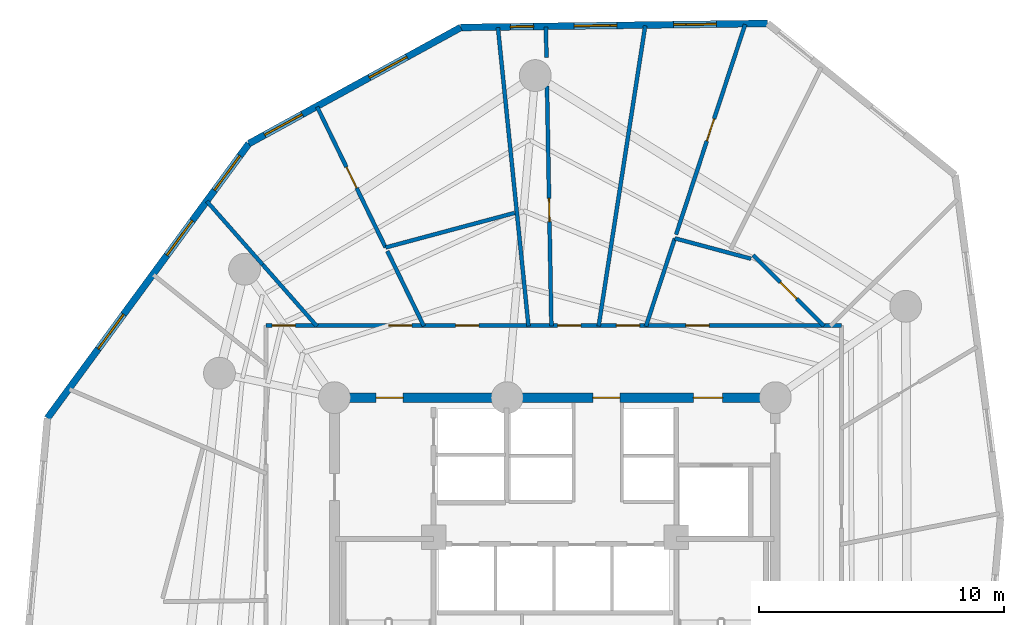
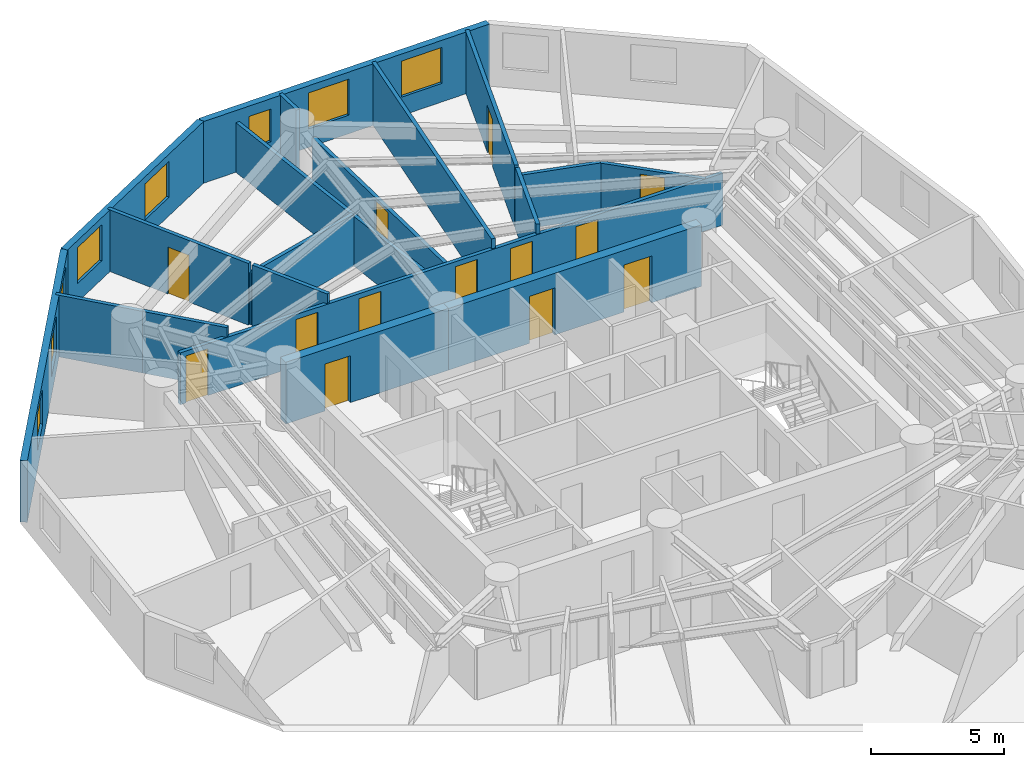
# One storey, part 6 of 8: 19 walls, 13 doors, 8 windows, 21 openings.
"""IFC4 building model written with IfcOpenShell, lengths in metres."""

from ifc_helpers import new_model, si_unit, direction, frame, frame_2d, origin, origin_with_axes, place, context, subcontext, project, spatial, rectangle, extrude, source, transform, mapped, material, layer, layer_set, type_object, element, fill, save


model = new_model("IFC4")

# Units and contexts
model_context = context("Model", 3, precision=1e-05, world=origin(), true_north=direction((0.0, 1.0)))
body_context = subcontext(model_context, "Body", "Model", "MODEL_VIEW")
ifc_project = project(units=[si_unit("LENGTHUNIT", "METRE"), si_unit("AREAUNIT", "SQUARE_METRE"), si_unit("VOLUMEUNIT", "CUBIC_METRE"), si_unit("PLANEANGLEUNIT", "RADIAN"), si_unit("MASSUNIT", "GRAM", prefix="KILO")], contexts=[model_context])

# Site, building, storey
site_placement = place(None, origin())
site = spatial("IfcSite", under=ifc_project, at=site_placement, CompositionType="ELEMENT")
building_placement = place(site_placement, origin())
building = spatial("IfcBuilding", under=site, at=building_placement, Name="Karkom Vertical University and Central Library", CompositionType="ELEMENT")
storey_placement = place(building_placement, frame((0.0, 0.0, 174.85009765625)))
storey = spatial("IfcBuildingStorey", under=building, at=storey_placement, Name="L50", CompositionType="ELEMENT", Elevation=174.85009765625)

# Wall, openings, windows
ifc_material_1 = material(Name="Brick-faced precast concrete C45/55", Category="masonry")
ifc_layer_1 = layer(ifc_material_1, 0.280029296875)
ifc_layer_set_1 = layer_set([ifc_layer_1], Name="Brick-faced precast concrete C45/55")
wall_type_1 = type_object("IfcWallType", Name="ENV-WL-BRK-280", PredefinedType="SOLIDWALL", material=ifc_layer_set_1)
wall_1_placement = place(storey_placement, frame((37.189208984375, 49.979248046875, 0.0), z_axis=(0.0, 0.0, 1.0), x_axis=(-0.999913830064, -0.013127545317, 0.0)))
wall_1 = element("IfcWall", 1, at=wall_1_placement, inside=storey, type_object=wall_type_1, Name="Level 50 Brick-Faced Precast Facade Wall 09", PredefinedType="SOLIDWALL", context=body_context, shape_type="SweptSolid", body=[
    extrude(rectangle(XDim=12.53466796875, YDim=0.280029296875, at=frame_2d((6.267333984375, 0.0))), origin(), (0.0, 0.0, 1.0), 2.824951171875),
])
opening_1_placement = place(wall_1_placement, frame((2.094970703125, 0.0, 0.85009765625)))
opening_1 = element("IfcOpeningElement", 2, at=opening_1_placement, cuts=wall_1, Name="Opening WN-08", PredefinedType="OPENING", context=body_context, shape_type="SweptSolid", body=[
    extrude(rectangle(XDim=1.75, YDim=1.64990234375, at=frame_2d((0.875, 0.824951171875))), frame((0.0, 0.14990234375, 0.0), z_axis=(0.0, -1.0, 0.0), x_axis=(1.0, 0.0, 0.0)), (0.0, 0.0, 1.0), 0.300048828125),
])
opening_2_placement = place(wall_1_placement, frame((6.156982421875, 0.0, 0.85009765625)))
opening_2 = element("IfcOpeningElement", 3, at=opening_2_placement, cuts=wall_1, Name="Opening WN-08", PredefinedType="OPENING", context=body_context, shape_type="SweptSolid", body=[
    extrude(rectangle(XDim=1.75, YDim=1.64990234375, at=frame_2d((0.875, 0.824951171875))), frame((0.0, 0.14990234375, 0.0), z_axis=(0.0, -1.0, 0.0), x_axis=(1.0, 0.0, 0.0)), (0.0, 0.0, 1.0), 0.300048828125),
])
opening_3_placement = place(wall_1_placement, frame((9.559814453125, 0.0, 0.85009765625)))
opening_3 = element("IfcOpeningElement", 4, at=opening_3_placement, cuts=wall_1, Name="Opening WN-12", PredefinedType="OPENING", context=body_context, shape_type="SweptSolid", body=[
    extrude(rectangle(XDim=0.949951171875, YDim=1.5, at=frame_2d((0.47509765625, 0.75))), frame((0.0, 0.14990234375, 0.0), z_axis=(0.0, -1.0, 0.0), x_axis=(1.0, 0.0, 0.0)), (0.0, 0.0, 1.0), 0.300048828125),
])
ifc_material_2 = material(Name="Aluminium thermal-break frame with solar-control IGU", Category="aluminium")
window_type_1 = type_object("IfcWindowType", Name="ENV-WIN-WN-12", PartitioningType="SINGLE_PANEL", PredefinedType="WINDOW", material=ifc_material_2)
shared_shape_1 = source(origin_with_axes(), body_context, "Body", "SweptSolid", [
    extrude(rectangle(XDim=0.949951171875, YDim=1.5, at=frame_2d((0.47509765625, 0.75))), frame((0.0, 0.030029296875, 0.0), z_axis=(0.0, -1.0, 0.0), x_axis=(1.0, 0.0, 0.0)), (0.0, 0.0, 1.0), 0.06005859375),
])
window_1_placement = place(opening_3_placement, origin())
window_1 = element("IfcWindow", 5, at=window_1_placement, inside=storey, type_object=window_type_1, Name="Level 50 Punched Window 9.3", OverallHeight=1.5, OverallWidth=0.949951171875, PartitioningType="SINGLE_PANEL", PredefinedType="WINDOW", context=body_context, shape_type="MappedRepresentation", body=[
    mapped(shared_shape_1, transform((0.0, 0.0, 0.0), scale=1.0)),
])
fill(opening_3, window_1)
window_type_2 = type_object("IfcWindowType", Name="ENV-WIN-WN-08", PartitioningType="SINGLE_PANEL", PredefinedType="WINDOW", material=ifc_material_2)
shared_shape_2 = source(origin_with_axes(), body_context, "Body", "SweptSolid", [
    extrude(rectangle(XDim=1.75, YDim=1.64990234375, at=frame_2d((0.875, 0.824951171875))), frame((0.0, 0.030029296875, 0.0), z_axis=(0.0, -1.0, 0.0), x_axis=(1.0, 0.0, 0.0)), (0.0, 0.0, 1.0), 0.06005859375),
])
window_2_placement = place(opening_1_placement, origin())
window_2 = element("IfcWindow", 6, at=window_2_placement, inside=storey, type_object=window_type_2, Name="Level 50 Punched Window 9.1", OverallHeight=1.64990234375, OverallWidth=1.75, PartitioningType="SINGLE_PANEL", PredefinedType="WINDOW", context=body_context, shape_type="MappedRepresentation", body=[
    mapped(shared_shape_2, transform((0.0, 0.0, 0.0), scale=1.0)),
])
fill(opening_1, window_2)
window_3_placement = place(opening_2_placement, origin())
window_3 = element("IfcWindow", 7, at=window_3_placement, inside=storey, type_object=window_type_2, Name="Level 50 Punched Window 9.2", OverallHeight=1.64990234375, OverallWidth=1.75, PartitioningType="SINGLE_PANEL", PredefinedType="WINDOW", context=body_context, shape_type="MappedRepresentation", body=[
    mapped(shared_shape_2, transform((0.0, 0.0, 0.0), scale=1.0)),
])
fill(opening_2, window_3)

wall_2_placement = place(storey_placement, frame((24.655517578125, 49.814697265625, 0.0), z_axis=(0.0, 0.0, 1.0), x_axis=(-0.876946311872, -0.480588354097, 0.0)))
wall_2 = element("IfcWall", 8, at=wall_2_placement, inside=storey, type_object=wall_type_1, Name="Level 50 Brick-Faced Precast Facade Wall 10", PredefinedType="SOLIDWALL", context=body_context, shape_type="SweptSolid", body=[
    extrude(rectangle(XDim=9.866455078125, YDim=0.280029296875, at=frame_2d((4.93310546875, 0.0))), origin(), (0.0, 0.0, 1.0), 2.824951171875),
])
opening_4_placement = place(wall_2_placement, frame((2.505859375, 0.0, 0.85009765625)))
opening_4 = element("IfcOpeningElement", 9, at=opening_4_placement, cuts=wall_2, Name="Opening WN-08", PredefinedType="OPENING", context=body_context, shape_type="SweptSolid", body=[
    extrude(rectangle(XDim=1.75, YDim=1.64990234375, at=frame_2d((0.875, 0.824951171875))), frame((0.0, 0.14990234375, 0.0), z_axis=(0.0, -1.0, 0.0), x_axis=(1.0, 0.0, 0.0)), (0.0, 0.0, 1.0), 0.300048828125),
])
opening_5_placement = place(wall_2_placement, frame((7.379150390625, 0.0, 0.85009765625)))
opening_5 = element("IfcOpeningElement", 10, at=opening_5_placement, cuts=wall_2, Name="Opening WN-08", PredefinedType="OPENING", context=body_context, shape_type="SweptSolid", body=[
    extrude(rectangle(XDim=1.75, YDim=1.64990234375, at=frame_2d((0.875, 0.824951171875))), frame((0.0, 0.14990234375, 0.0), z_axis=(0.0, -1.0, 0.0), x_axis=(1.0, 0.0, 0.0)), (0.0, 0.0, 1.0), 0.300048828125),
])
window_4_placement = place(opening_4_placement, origin())
window_4 = element("IfcWindow", 11, at=window_4_placement, inside=storey, type_object=window_type_2, Name="Level 50 Punched Window 10.1", OverallHeight=1.64990234375, OverallWidth=1.75, PartitioningType="SINGLE_PANEL", PredefinedType="WINDOW", context=body_context, shape_type="MappedRepresentation", body=[
    mapped(shared_shape_2, transform((0.0, 0.0, 0.0), scale=1.0)),
])
fill(opening_4, window_4)
window_5_placement = place(opening_5_placement, origin())
window_5 = element("IfcWindow", 12, at=window_5_placement, inside=storey, type_object=window_type_2, Name="Level 50 Punched Window 10.2", OverallHeight=1.64990234375, OverallWidth=1.75, PartitioningType="SINGLE_PANEL", PredefinedType="WINDOW", context=body_context, shape_type="MappedRepresentation", body=[
    mapped(shared_shape_2, transform((0.0, 0.0, 0.0), scale=1.0)),
])
fill(opening_5, window_5)

wall_3_placement = place(storey_placement, frame((16.003173828125, 45.072998046875, 0.0), z_axis=(0.0, 0.0, 1.0), x_axis=(-0.591484690677, -0.806316228718, 0.0)))
wall_3 = element("IfcWall", 13, at=wall_3_placement, inside=storey, type_object=wall_type_1, Name="Level 50 Brick-Faced Precast Facade Wall 11", PredefinedType="SOLIDWALL", context=body_context, shape_type="SweptSolid", body=[
    extrude(rectangle(XDim=13.904296875, YDim=0.280029296875, at=frame_2d((6.9521484375, 0.0))), origin(), (0.0, 0.0, 1.0), 2.824951171875),
])
opening_6_placement = place(wall_3_placement, frame((0.61669921875, 0.0, 0.85009765625)))
opening_6 = element("IfcOpeningElement", 14, at=opening_6_placement, cuts=wall_3, Name="Opening WN-08", PredefinedType="OPENING", context=body_context, shape_type="SweptSolid", body=[
    extrude(rectangle(XDim=1.75, YDim=1.64990234375, at=frame_2d((0.875, 0.824951171875))), frame((0.0, 0.14990234375, 0.0), z_axis=(0.0, -1.0, 0.0), x_axis=(1.0, 0.0, 0.0)), (0.0, 0.0, 1.0), 0.300048828125),
])
opening_7_placement = place(wall_3_placement, frame((3.89892578125, 0.0, 0.85009765625)))
opening_7 = element("IfcOpeningElement", 15, at=opening_7_placement, cuts=wall_3, Name="Opening WN-08", PredefinedType="OPENING", context=body_context, shape_type="SweptSolid", body=[
    extrude(rectangle(XDim=1.75, YDim=1.64990234375, at=frame_2d((0.875, 0.824951171875))), frame((0.0, 0.14990234375, 0.0), z_axis=(0.0, -1.0, 0.0), x_axis=(1.0, 0.0, 0.0)), (0.0, 0.0, 1.0), 0.300048828125),
])
opening_8_placement = place(wall_3_placement, frame((8.644287109375, 0.0, 0.85009765625)))
opening_8 = element("IfcOpeningElement", 16, at=opening_8_placement, cuts=wall_3, Name="Opening WN-08", PredefinedType="OPENING", context=body_context, shape_type="SweptSolid", body=[
    extrude(rectangle(XDim=1.75, YDim=1.64990234375, at=frame_2d((0.875, 0.824951171875))), frame((0.0, 0.14990234375, 0.0), z_axis=(0.0, -1.0, 0.0), x_axis=(1.0, 0.0, 0.0)), (0.0, 0.0, 1.0), 0.300048828125),
])
window_6_placement = place(opening_6_placement, origin())
window_6 = element("IfcWindow", 17, at=window_6_placement, inside=storey, type_object=window_type_2, Name="Level 50 Punched Window 11.1", OverallHeight=1.64990234375, OverallWidth=1.75, PartitioningType="SINGLE_PANEL", PredefinedType="WINDOW", context=body_context, shape_type="MappedRepresentation", body=[
    mapped(shared_shape_2, transform((0.0, 0.0, 0.0), scale=1.0)),
])
fill(opening_6, window_6)
window_7_placement = place(opening_7_placement, origin())
window_7 = element("IfcWindow", 18, at=window_7_placement, inside=storey, type_object=window_type_2, Name="Level 50 Punched Window 11.2", OverallHeight=1.64990234375, OverallWidth=1.75, PartitioningType="SINGLE_PANEL", PredefinedType="WINDOW", context=body_context, shape_type="MappedRepresentation", body=[
    mapped(shared_shape_2, transform((0.0, 0.0, 0.0), scale=1.0)),
])
fill(opening_7, window_7)
window_8_placement = place(opening_8_placement, origin())
window_8 = element("IfcWindow", 19, at=window_8_placement, inside=storey, type_object=window_type_2, Name="Level 50 Punched Window 11.3", OverallHeight=1.64990234375, OverallWidth=1.75, PartitioningType="SINGLE_PANEL", PredefinedType="WINDOW", context=body_context, shape_type="MappedRepresentation", body=[
    mapped(shared_shape_2, transform((0.0, 0.0, 0.0), scale=1.0)),
])
fill(opening_8, window_8)

# Wall, openings, doors
ifc_material_3 = material(Name="Insulated metal-stud drywall 160mm", Category="gypsum")
ifc_layer_2 = layer(ifc_material_3, 0.159912109375)
ifc_layer_set_2 = layer_set([ifc_layer_2], Name="Insulated metal-stud drywall 160mm")
wall_type_2 = type_object("IfcWallType", Name="INT-WL-COR-160", PredefinedType="PARTITIONING", material=ifc_layer_set_2)
wall_4_placement = place(storey_placement, frame((16.699951171875, 37.64990234375, 0.0), z_axis=(0.0, 0.0, 1.0), x_axis=(1.0, 0.0, 0.0)))
wall_4 = element("IfcWall", 20, at=wall_4_placement, inside=storey, type_object=wall_type_2, Name="Level 50 Interior Partition Wall L50-CORW-CW-003", PredefinedType="PARTITIONING", context=body_context, shape_type="SweptSolid", body=[
    extrude(rectangle(XDim=23.5, YDim=0.159912109375, at=frame_2d((11.75, 0.0))), origin(), (0.0, 0.0, 1.0), 2.375),
])
opening_9_placement = place(wall_4_placement, frame((17.14990234375, 0.0, 0.0)))
opening_9 = element("IfcOpeningElement", 21, at=opening_9_placement, cuts=wall_4, Name="Opening D-RM1", PredefinedType="OPENING", context=body_context, shape_type="SweptSolid", body=[
    extrude(rectangle(XDim=0.949951171875, YDim=2.14990234375, at=frame_2d((0.47509765625, 1.074951171875))), frame((0.0, 0.08984375, 0.0), z_axis=(0.0, -1.0, 0.0), x_axis=(1.0, 0.0, 0.0)), (0.0, 0.0, 1.0), 0.179931640625),
])
opening_10_placement = place(wall_4_placement, frame((14.31005859375, 0.0, 0.0)))
opening_10 = element("IfcOpeningElement", 22, at=opening_10_placement, cuts=wall_4, Name="Opening D-RM1", PredefinedType="OPENING", context=body_context, shape_type="SweptSolid", body=[
    extrude(rectangle(XDim=0.949951171875, YDim=2.14990234375, at=frame_2d((0.47509765625, 1.074951171875))), frame((0.0, 0.08984375, 0.0), z_axis=(0.0, -1.0, 0.0), x_axis=(1.0, 0.0, 0.0)), (0.0, 0.0, 1.0), 0.179931640625),
])
opening_11_placement = place(wall_4_placement, frame((11.9150390625, 0.0, 0.0)))
opening_11 = element("IfcOpeningElement", 23, at=opening_11_placement, cuts=wall_4, Name="Opening D-RM1", PredefinedType="OPENING", context=body_context, shape_type="SweptSolid", body=[
    extrude(rectangle(XDim=0.949951171875, YDim=2.14990234375, at=frame_2d((0.47509765625, 1.074951171875))), frame((0.0, 0.08984375, 0.0), z_axis=(0.0, -1.0, 0.0), x_axis=(1.0, 0.0, 0.0)), (0.0, 0.0, 1.0), 0.179931640625),
])
opening_12_placement = place(wall_4_placement, frame((7.75, 0.0, 0.0)))
opening_12 = element("IfcOpeningElement", 24, at=opening_12_placement, cuts=wall_4, Name="Opening D-RM1", PredefinedType="OPENING", context=body_context, shape_type="SweptSolid", body=[
    extrude(rectangle(XDim=0.949951171875, YDim=2.14990234375, at=frame_2d((0.47509765625, 1.074951171875))), frame((0.0, 0.08984375, 0.0), z_axis=(0.0, -1.0, 0.0), x_axis=(1.0, 0.0, 0.0)), (0.0, 0.0, 1.0), 0.179931640625),
])
opening_13_placement = place(wall_4_placement, frame((5.010009765625, 0.0, 0.0)))
opening_13 = element("IfcOpeningElement", 25, at=opening_13_placement, cuts=wall_4, Name="Opening D-RM1", PredefinedType="OPENING", context=body_context, shape_type="SweptSolid", body=[
    extrude(rectangle(XDim=0.949951171875, YDim=2.14990234375, at=frame_2d((0.47509765625, 1.074951171875))), frame((0.0, 0.08984375, 0.0), z_axis=(0.0, -1.0, 0.0), x_axis=(1.0, 0.0, 0.0)), (0.0, 0.0, 1.0), 0.179931640625),
])
opening_14_placement = place(wall_4_placement, frame((0.25732421875, 0.0, 0.0)))
opening_14 = element("IfcOpeningElement", 26, at=opening_14_placement, cuts=wall_4, Name="Opening D-RM1", PredefinedType="OPENING", context=body_context, shape_type="SweptSolid", body=[
    extrude(rectangle(XDim=0.949951171875, YDim=2.14990234375, at=frame_2d((0.47509765625, 1.074951171875))), frame((0.0, 0.08984375, 0.0), z_axis=(0.0, -1.0, 0.0), x_axis=(1.0, 0.0, 0.0)), (0.0, 0.0, 1.0), 0.179931640625),
])
ifc_material_4 = material(Name="Solid-core oak veneer door", Category="wood")
door_type_1 = type_object("IfcDoorType", Name="INT-DR-RM1", OperationType="NOTDEFINED", PredefinedType="DOOR", material=ifc_material_4)
shared_shape_3 = source(origin_with_axes(), body_context, "Body", "SweptSolid", [
    extrude(rectangle(XDim=0.949951171875, YDim=2.14990234375, at=frame_2d((0.47509765625, 1.074951171875))), frame((0.0, 0.02490234375, 0.0), z_axis=(0.0, -1.0, 0.0), x_axis=(1.0, 0.0, 0.0)), (0.0, 0.0, 1.0), 0.050048828125),
])
door_1_placement = place(opening_9_placement, origin())
door_1 = element("IfcDoor", 27, at=door_1_placement, inside=storey, type_object=door_type_1, Name="Level 50 Room Entry Door 150", OperationType="SINGLE_SWING_RIGHT", OverallHeight=2.14990234375, OverallWidth=0.949951171875, PredefinedType="DOOR", context=body_context, shape_type="MappedRepresentation", body=[
    mapped(shared_shape_3, transform((0.0, 0.0, 0.0), scale=1.0)),
])
fill(opening_9, door_1)
door_2_placement = place(opening_10_placement, origin())
door_2 = element("IfcDoor", 28, at=door_2_placement, inside=storey, type_object=door_type_1, Name="Level 50 Room Entry Door 170", OperationType="SINGLE_SWING_LEFT", OverallHeight=2.14990234375, OverallWidth=0.949951171875, PredefinedType="DOOR", context=body_context, shape_type="MappedRepresentation", body=[
    mapped(shared_shape_3, transform((0.0, 0.0, 0.0), scale=1.0)),
])
fill(opening_10, door_2)
door_3_placement = place(opening_11_placement, origin())
door_3 = element("IfcDoor", 29, at=door_3_placement, inside=storey, type_object=door_type_1, Name="Level 50 Room Entry Door 180", OperationType="SINGLE_SWING_RIGHT", OverallHeight=2.14990234375, OverallWidth=0.949951171875, PredefinedType="DOOR", context=body_context, shape_type="MappedRepresentation", body=[
    mapped(shared_shape_3, transform((0.0, 0.0, 0.0), scale=1.0)),
])
fill(opening_11, door_3)
door_4_placement = place(opening_12_placement, origin())
door_4 = element("IfcDoor", 30, at=door_4_placement, inside=storey, type_object=door_type_1, Name="Level 50 Room Entry Door 210", OperationType="SINGLE_SWING_LEFT", OverallHeight=2.14990234375, OverallWidth=0.949951171875, PredefinedType="DOOR", context=body_context, shape_type="MappedRepresentation", body=[
    mapped(shared_shape_3, transform((0.0, 0.0, 0.0), scale=1.0)),
])
fill(opening_12, door_4)
door_5_placement = place(opening_13_placement, origin())
door_5 = element("IfcDoor", 31, at=door_5_placement, inside=storey, type_object=door_type_1, Name="Level 50 Room Entry Door 220", OperationType="SINGLE_SWING_RIGHT", OverallHeight=2.14990234375, OverallWidth=0.949951171875, PredefinedType="DOOR", context=body_context, shape_type="MappedRepresentation", body=[
    mapped(shared_shape_3, transform((0.0, 0.0, 0.0), scale=1.0)),
])
fill(opening_13, door_5)
door_6_placement = place(opening_14_placement, origin())
door_6 = element("IfcDoor", 32, at=door_6_placement, inside=storey, type_object=door_type_1, Name="Level 50 Room Entry Door 230", OperationType="SINGLE_SWING_LEFT", OverallHeight=2.14990234375, OverallWidth=0.949951171875, PredefinedType="DOOR", context=body_context, shape_type="MappedRepresentation", body=[
    mapped(shared_shape_3, transform((0.0, 0.0, 0.0), scale=1.0)),
])
fill(opening_14, door_6)

# Walls
wall_5_placement = place(storey_placement, frame((30.28564453125, 37.620361328125, 0.0), z_axis=(0.0, 0.0, 1.0), x_axis=(0.153299914958, 0.98817970839, 0.0)))
element("IfcWall", 33, at=wall_5_placement, inside=storey, type_object=wall_type_2, Name="Level 50 Interior Partition Wall L50-PW-027", PredefinedType="PARTITIONING", context=body_context, shape_type="SweptSolid", body=[
    extrude(rectangle(XDim=12.4140625, YDim=0.159912109375, at=frame_2d((6.20703125, 0.0))), origin(), (0.0, 0.0, 1.0), 2.824951171875),
])
wall_6_placement = place(storey_placement, frame((27.422119140625, 37.6201171875, 0.0), z_axis=(0.0, 0.0, 1.0), x_axis=(-0.101837248068, 0.994801073032, 0.0)))
element("IfcWall", 34, at=wall_6_placement, inside=storey, type_object=wall_type_2, Name="Level 50 Interior Partition Wall L50-PW-030", PredefinedType="PARTITIONING", context=body_context, shape_type="SweptSolid", body=[
    extrude(rectangle(XDim=12.2529296875, YDim=0.159912109375, at=frame_2d((6.12646484375, 0.0))), origin(), (0.0, 0.0, 1.0), 2.27490234375),
])

# Wall, opening, door
wall_7_placement = place(storey_placement, frame((28.356689453125, 37.6201171875, 0.0), z_axis=(0.0, 0.0, 1.0), x_axis=(-0.018288713091, 0.9998327475, 0.0)))
wall_7 = element("IfcWall", 35, at=wall_7_placement, inside=storey, type_object=wall_type_2, Name="Level 50 Interior Partition Wall L50-PW-028", PredefinedType="PARTITIONING", context=body_context, shape_type="SweptSolid", body=[
    extrude(rectangle(XDim=9.811767578125, YDim=0.159912109375, at=frame_2d((4.90576171875, 0.0))), origin(), (0.0, 0.0, 1.0), 2.27490234375),
])
opening_15_placement = place(wall_7_placement, frame((4.270751953125, 0.0, 0.0)))
opening_15 = element("IfcOpeningElement", 36, at=opening_15_placement, cuts=wall_7, Name="Opening D-RM1", PredefinedType="OPENING", context=body_context, shape_type="SweptSolid", body=[
    extrude(rectangle(XDim=0.949951171875, YDim=2.14990234375, at=frame_2d((0.47509765625, 1.074951171875))), frame((0.0, 0.08984375, 0.0), z_axis=(0.0, -1.0, 0.0), x_axis=(1.0, 0.0, 0.0)), (0.0, 0.0, 1.0), 0.179931640625),
])
door_7_placement = place(opening_15_placement, origin())
door_7 = element("IfcDoor", 37, at=door_7_placement, inside=storey, type_object=door_type_1, Name="Level 50 Room Entry Door 190", OperationType="SINGLE_SWING_RIGHT", OverallHeight=2.14990234375, OverallWidth=0.949951171875, PredefinedType="DOOR", context=body_context, shape_type="MappedRepresentation", body=[
    mapped(shared_shape_3, transform((0.0, 0.0, 0.0), scale=1.0)),
])
fill(opening_15, door_7)

wall_8_placement = place(storey_placement, frame((33.447265625, 41.357177734375, 0.0), z_axis=(0.0, 0.0, 1.0), x_axis=(0.312268283986, 0.949993957253, 0.0)))
wall_8 = element("IfcWall", 38, at=wall_8_placement, inside=storey, type_object=wall_type_2, Name="Level 50 Interior Partition Wall L50-PW-026", PredefinedType="PARTITIONING", context=body_context, shape_type="SweptSolid", body=[
    extrude(rectangle(XDim=9.033203125, YDim=0.159912109375, at=frame_2d((4.5166015625, 0.0))), origin(), (0.0, 0.0, 1.0), 2.824951171875),
])
opening_16_placement = place(wall_8_placement, frame((4.024169921875, 0.0, 0.0)))
opening_16 = element("IfcOpeningElement", 39, at=opening_16_placement, cuts=wall_8, Name="Opening D-RM1", PredefinedType="OPENING", context=body_context, shape_type="SweptSolid", body=[
    extrude(rectangle(XDim=0.949951171875, YDim=2.14990234375, at=frame_2d((0.47509765625, 1.074951171875))), frame((0.0, 0.08984375, 0.0), z_axis=(0.0, -1.0, 0.0), x_axis=(1.0, 0.0, 0.0)), (0.0, 0.0, 1.0), 0.179931640625),
])
door_8_placement = place(opening_16_placement, origin())
door_8 = element("IfcDoor", 40, at=door_8_placement, inside=storey, type_object=door_type_1, Name="Level 50 Room Entry Door 160", OperationType="SINGLE_SWING_LEFT", OverallHeight=2.14990234375, OverallWidth=0.949951171875, PredefinedType="DOOR", context=body_context, shape_type="MappedRepresentation", body=[
    mapped(shared_shape_3, transform((0.0, 0.0, 0.0), scale=1.0)),
])
fill(opening_16, door_8)

wall_9_placement = place(storey_placement, frame((21.587890625, 40.830810546875, 0.0), z_axis=(0.0, 0.0, 1.0), x_axis=(-0.437830783971, 0.899057397838, 0.0)))
wall_9 = element("IfcWall", 41, at=wall_9_placement, inside=storey, type_object=wall_type_2, Name="Level 50 Interior Partition Wall L50-PW-032", PredefinedType="PARTITIONING", context=body_context, shape_type="SweptSolid", body=[
    extrude(rectangle(XDim=6.386474609375, YDim=0.159912109375, at=frame_2d((3.193359375, 0.0))), origin(), (0.0, 0.0, 1.0), 2.824951171875),
])
opening_17_placement = place(wall_9_placement, frame((2.70068359375, 0.0, 0.0)))
opening_17 = element("IfcOpeningElement", 42, at=opening_17_placement, cuts=wall_9, Name="Opening D-RM1", PredefinedType="OPENING", context=body_context, shape_type="SweptSolid", body=[
    extrude(rectangle(XDim=0.949951171875, YDim=2.14990234375, at=frame_2d((0.47509765625, 1.074951171875))), frame((0.0, 0.08984375, 0.0), z_axis=(0.0, -1.0, 0.0), x_axis=(1.0, 0.0, 0.0)), (0.0, 0.0, 1.0), 0.179931640625),
])
door_9_placement = place(opening_17_placement, origin())
door_9 = element("IfcDoor", 43, at=door_9_placement, inside=storey, type_object=door_type_1, Name="Level 50 Room Entry Door 200", OperationType="SINGLE_SWING_LEFT", OverallHeight=2.14990234375, OverallWidth=0.949951171875, PredefinedType="DOOR", context=body_context, shape_type="MappedRepresentation", body=[
    mapped(shared_shape_3, transform((0.0, 0.0, 0.0), scale=1.0)),
])
fill(opening_17, door_9)

# Wall
wall_10_placement = place(storey_placement, frame((26.861328125, 42.24365234375, 0.0), z_axis=(0.0, 0.0, 1.0), x_axis=(-0.965933680277, -0.258789731841, 0.0)))
element("IfcWall", 44, at=wall_10_placement, inside=storey, type_object=wall_type_2, Name="Level 50 Interior Partition Wall L50-PW-031", PredefinedType="PARTITIONING", context=body_context, shape_type="SweptSolid", body=[
    extrude(rectangle(XDim=5.45947265625, YDim=0.159912109375, at=frame_2d((2.729736328125, 0.0))), origin(), (0.0, 0.0, 1.0), 2.375),
])

# Wall, opening, door
wall_11_placement = place(storey_placement, frame((39.477294921875, 37.62890625, 0.0), z_axis=(0.0, 0.0, 1.0), x_axis=(-0.707136690743, 0.707076870365, 0.0)))
wall_11 = element("IfcWall", 45, at=wall_11_placement, inside=storey, type_object=wall_type_2, Name="Level 50 Interior Partition Wall L50-PW-021", PredefinedType="PARTITIONING", context=body_context, shape_type="SweptSolid", body=[
    extrude(rectangle(XDim=4.081298828125, YDim=0.159912109375, at=frame_2d((2.04052734375, 0.0))), origin(), (0.0, 0.0, 1.0), 2.375),
])
opening_18_placement = place(wall_11_placement, frame((1.565673828125, 0.0, 0.0)))
opening_18 = element("IfcOpeningElement", 46, at=opening_18_placement, cuts=wall_11, Name="Opening D-RM1", PredefinedType="OPENING", context=body_context, shape_type="SweptSolid", body=[
    extrude(rectangle(XDim=0.949951171875, YDim=2.14990234375, at=frame_2d((0.47509765625, 1.074951171875))), frame((0.0, 0.08984375, 0.0), z_axis=(0.0, -1.0, 0.0), x_axis=(1.0, 0.0, 0.0)), (0.0, 0.0, 1.0), 0.179931640625),
])
door_10_placement = place(opening_18_placement, origin())
door_10 = element("IfcDoor", 47, at=door_10_placement, inside=storey, type_object=door_type_1, Name="Level 50 Room Entry Door 140", OperationType="SINGLE_SWING_RIGHT", OverallHeight=2.14990234375, OverallWidth=0.949951171875, PredefinedType="DOOR", context=body_context, shape_type="MappedRepresentation", body=[
    mapped(shared_shape_3, transform((0.0, 0.0, 0.0), scale=1.0)),
])
fill(opening_18, door_10)

# Walls
wall_12_placement = place(storey_placement, frame((32.21435546875, 37.607421875, 0.0), z_axis=(0.0, 0.0, 1.0), x_axis=(0.312337810946, 0.949971100536, 0.0)))
element("IfcWall", 48, at=wall_12_placement, inside=storey, type_object=wall_type_2, Name="Level 50 Interior Partition Wall L50-PW-025", PredefinedType="PARTITIONING", context=body_context, shape_type="SweptSolid", body=[
    extrude(rectangle(XDim=3.787109375, YDim=0.159912109375, at=frame_2d((1.8935546875, 0.0))), origin(), (0.0, 0.0, 1.0), 2.824951171875),
])
wall_13_placement = place(storey_placement, frame((23.150146484375, 37.623046875, 0.0), z_axis=(0.0, 0.0, 1.0), x_axis=(-0.437810430728, 0.899067309352, 0.0)))
element("IfcWall", 49, at=wall_13_placement, inside=storey, type_object=wall_type_2, Name="Level 50 Interior Partition Wall L50-PW-033", PredefinedType="PARTITIONING", context=body_context, shape_type="SweptSolid", body=[
    extrude(rectangle(XDim=3.405029296875, YDim=0.159912109375, at=frame_2d((1.70263671875, 0.0))), origin(), (0.0, 0.0, 1.0), 2.824951171875),
])
wall_14_placement = place(storey_placement, frame((18.784912109375, 37.6162109375, 0.0), z_axis=(0.0, 0.0, 1.0), x_axis=(-0.66112037689, 0.750279845964, 0.0)))
element("IfcWall", 50, at=wall_14_placement, inside=storey, type_object=wall_type_2, Name="Level 50 Interior Partition Wall L50-PW-034", PredefinedType="PARTITIONING", context=body_context, shape_type="SweptSolid", body=[
    extrude(rectangle(XDim=3.3515625, YDim=0.159912109375, at=frame_2d((1.67578125, 0.0))), origin(), (0.0, 0.0, 1.0), 2.824951171875),
])
wall_15_placement = place(storey_placement, frame((33.397216796875, 41.205078125, 0.0), z_axis=(0.0, 0.0, 1.0), x_axis=(0.965920984925, -0.258837112643, 0.0)))
element("IfcWall", 51, at=wall_15_placement, inside=storey, type_object=wall_type_2, Name="Level 50 Interior Partition Wall L50-PW-024", PredefinedType="PARTITIONING", context=body_context, shape_type="SweptSolid", body=[
    extrude(rectangle(XDim=3.22119140625, YDim=0.159912109375, at=frame_2d((1.610595703125, 0.0))), origin(), (0.0, 0.0, 1.0), 2.494873046875),
])
wall_16_placement = place(storey_placement, frame((16.565673828125, 40.134521484375, 0.0), z_axis=(0.0, 0.0, 1.0), x_axis=(-0.661110365764, 0.750288667301, 0.0)))
element("IfcWall", 52, at=wall_16_placement, inside=storey, type_object=wall_type_2, Name="Level 50 Interior Partition Wall L50-PW-035", PredefinedType="PARTITIONING", context=body_context, shape_type="SweptSolid", body=[
    extrude(rectangle(XDim=3.444091796875, YDim=0.159912109375, at=frame_2d((1.72216796875, 0.0))), origin(), (0.0, 0.0, 1.0), 2.824951171875),
])
wall_17_placement = place(storey_placement, frame((28.156005859375, 48.590087890625, 0.0), z_axis=(0.0, 0.0, 1.0), x_axis=(-0.018232263019, 0.999833778478, 0.0)))
element("IfcWall", 53, at=wall_17_placement, inside=storey, type_object=wall_type_2, Name="Level 50 Interior Partition Wall L50-PW-029", PredefinedType="PARTITIONING", context=body_context, shape_type="SweptSolid", body=[
    extrude(rectangle(XDim=1.245361328125, YDim=0.159912109375, at=frame_2d((0.62255859375, 0.0))), origin(), (0.0, 0.0, 1.0), 2.824951171875),
])

# Wall, openings, doors
ifc_material_5 = material(Name="Concrete C50/60", Category="concrete")
ifc_layer_3 = layer(ifc_material_5, 0.39990234375)
ifc_layer_set_3 = layer_set([ifc_layer_3], Name="Concrete C50/60")
wall_type_3 = type_object("IfcWallType", Name="STR-WL-CW-400", PredefinedType="SHEAR", material=ifc_layer_set_3)
wall_18_placement = place(storey_placement, frame((37.5, 34.699951171875, 0.0), z_axis=(0.0, 0.0, 1.0), x_axis=(-1.0, 0.0, 0.0)))
wall_18 = element("IfcWall", 54, at=wall_18_placement, inside=storey, type_object=wall_type_3, Name="Level 50 Central Core Shear Wall NW1", PredefinedType="SHEAR", context=body_context, shape_type="SweptSolid", body=[
    extrude(rectangle(XDim=10.949951171875, YDim=0.39990234375, at=frame_2d((5.47509765625, 0.0))), origin(), (0.0, 0.0, 1.0), 2.824951171875),
])
opening_19_placement = place(wall_18_placement, frame((2.14990234375, 0.0, 0.0)))
opening_19 = element("IfcOpeningElement", 55, at=opening_19_placement, cuts=wall_18, Name="Opening FD-SUB1", PredefinedType="OPENING", context=body_context, shape_type="SweptSolid", body=[
    extrude(rectangle(XDim=1.199951171875, YDim=2.14990234375, at=frame_2d((0.60009765625, 1.074951171875))), frame((0.0, 0.2099609375, 0.0), z_axis=(0.0, -1.0, 0.0), x_axis=(1.0, 0.0, 0.0)), (0.0, 0.0, 1.0), 0.419921875),
])
opening_20_placement = place(wall_18_placement, frame((6.35009765625, 0.0, 0.0)))
opening_20 = element("IfcOpeningElement", 56, at=opening_20_placement, cuts=wall_18, Name="Opening FD-FFL", PredefinedType="OPENING", context=body_context, shape_type="SweptSolid", body=[
    extrude(rectangle(XDim=1.10009765625, YDim=2.14990234375, at=frame_2d((0.550048828125, 1.074951171875))), frame((0.0, 0.2099609375, 0.0), z_axis=(0.0, -1.0, 0.0), x_axis=(1.0, 0.0, 0.0)), (0.0, 0.0, 1.0), 0.419921875),
])
ifc_material_6 = material(Name="Painted steel smoke-seal fire door", Category="steel")
door_type_2 = type_object("IfcDoorType", Name="INT-DR-FFL", OperationType="NOTDEFINED", PredefinedType="DOOR", material=ifc_material_6)
shared_shape_4 = source(origin_with_axes(), body_context, "Body", "SweptSolid", [
    extrude(rectangle(XDim=1.10009765625, YDim=2.14990234375, at=frame_2d((0.550048828125, 1.074951171875))), frame((0.0, 0.02490234375, 0.0), z_axis=(0.0, -1.0, 0.0), x_axis=(1.0, 0.0, 0.0)), (0.0, 0.0, 1.0), 0.050048828125),
])
door_11_placement = place(opening_20_placement, origin())
door_11 = element("IfcDoor", 57, at=door_11_placement, inside=storey, type_object=door_type_2, Name="Level 50 North Core Lobby Exit Door", OperationType="SINGLE_SWING_LEFT", OverallHeight=2.14990234375, OverallWidth=1.10009765625, PredefinedType="DOOR", context=body_context, shape_type="MappedRepresentation", body=[
    mapped(shared_shape_4, transform((0.0, 0.0, 0.0), scale=1.0)),
])
fill(opening_20, door_11)
ifc_material_7 = material(Name="Painted steel fire door", Category="steel")
door_type_3 = type_object("IfcDoorType", Name="INT-DR-SUB1", OperationType="NOTDEFINED", PredefinedType="DOOR", material=ifc_material_7)
shared_shape_5 = source(origin_with_axes(), body_context, "Body", "SweptSolid", [
    extrude(rectangle(XDim=1.199951171875, YDim=2.14990234375, at=frame_2d((0.60009765625, 1.074951171875))), frame((0.0, 0.02490234375, 0.0), z_axis=(0.0, -1.0, 0.0), x_axis=(1.0, 0.0, 0.0)), (0.0, 0.0, 1.0), 0.050048828125),
])
door_12_placement = place(opening_19_placement, origin())
door_12 = element("IfcDoor", 58, at=door_12_placement, inside=storey, type_object=door_type_3, Name="Level 50 Service Lobby Fire Door", OperationType="SINGLE_SWING_LEFT", OverallHeight=2.14990234375, OverallWidth=1.199951171875, PredefinedType="DOOR", context=body_context, shape_type="MappedRepresentation", body=[
    mapped(shared_shape_5, transform((0.0, 0.0, 0.0), scale=1.0)),
])
fill(opening_19, door_12)

# Wall, opening, door
wall_19_placement = place(storey_placement, frame((26.550048828125, 34.699951171875, 0.0), z_axis=(0.0, 0.0, 1.0), x_axis=(-1.0, 0.0, 0.0)))
wall_19 = element("IfcWall", 59, at=wall_19_placement, inside=storey, type_object=wall_type_3, Name="Level 50 Central Core Shear Wall NW2", PredefinedType="SHEAR", context=body_context, shape_type="SweptSolid", body=[
    extrude(rectangle(XDim=7.050048828125, YDim=0.39990234375, at=frame_2d((3.52490234375, 0.0))), origin(), (0.0, 0.0, 1.0), 2.824951171875),
])
opening_21_placement = place(wall_19_placement, frame((4.25, 0.0, 0.0)))
opening_21 = element("IfcOpeningElement", 60, at=opening_21_placement, cuts=wall_19, Name="Opening FD-FFL", PredefinedType="OPENING", context=body_context, shape_type="SweptSolid", body=[
    extrude(rectangle(XDim=1.10009765625, YDim=2.14990234375, at=frame_2d((0.550048828125, 1.074951171875))), frame((0.0, 0.2099609375, 0.0), z_axis=(0.0, -1.0, 0.0), x_axis=(1.0, 0.0, 0.0)), (0.0, 0.0, 1.0), 0.419921875),
])
door_13_placement = place(opening_21_placement, origin())
door_13 = element("IfcDoor", 61, at=door_13_placement, inside=storey, type_object=door_type_2, Name="Level 50 Firefighting Lobby Door", OperationType="SINGLE_SWING_RIGHT", OverallHeight=2.14990234375, OverallWidth=1.10009765625, PredefinedType="DOOR", context=body_context, shape_type="MappedRepresentation", body=[
    mapped(shared_shape_4, transform((0.0, 0.0, 0.0), scale=1.0)),
])
fill(opening_21, door_13)

save(model, "model.ifc")
